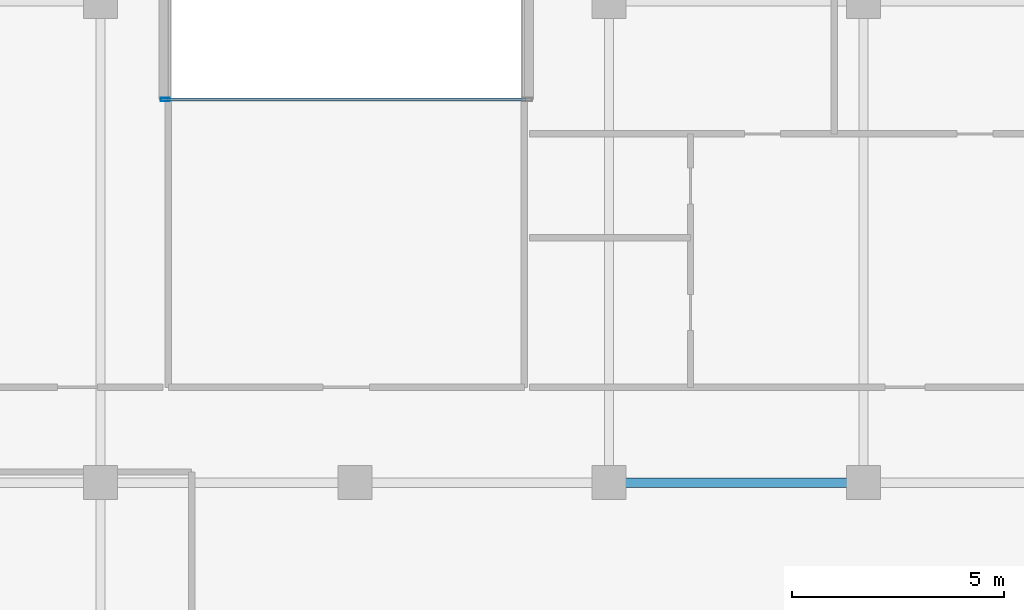
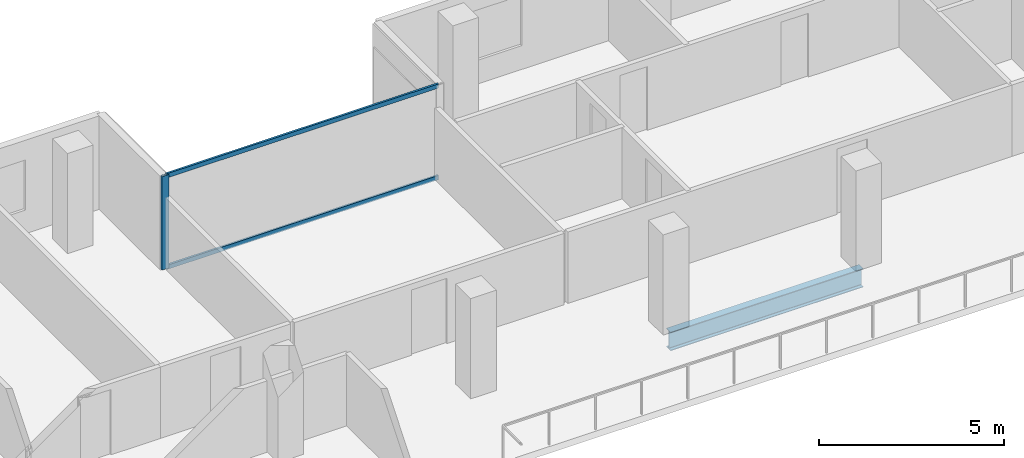
# One storey, part 6 of 20: 3 members, 1 beam, 1 element without a shape of its own.
"""IFC4 building model written with IfcOpenShell, lengths in metres."""

from ifc_helpers import new_model, si_unit, direction, frame, origin, origin_2d, place, context, subcontext, project, spatial, hollow_rectangle, i_section, extrude, material, layer, layer_set, material_profile, profile_set, type_object, element, aggregate, save


model = new_model("IFC4")

# Units and contexts
model_context = context("Model", 3, precision=1e-05, world=origin(), true_north=direction((0.0, 1.0)))
body_context = subcontext(model_context, "Body", "Model", "MODEL_VIEW")
ifc_project = project(units=[si_unit("LENGTHUNIT", "METRE"), si_unit("AREAUNIT", "SQUARE_METRE"), si_unit("VOLUMEUNIT", "CUBIC_METRE"), si_unit("PLANEANGLEUNIT", "RADIAN"), si_unit("MASSUNIT", "GRAM", prefix="KILO")], contexts=[model_context])

# Site, building, storey
site_placement = place(None, origin())
site = spatial("IfcSite", under=ifc_project, at=site_placement, CompositionType="ELEMENT")
building_placement = place(site_placement, origin())
building = spatial("IfcBuilding", under=site, at=building_placement, Name="Tanjung Sevakor Pilgrim Tower", CompositionType="ELEMENT")
storey_placement = place(building_placement, frame((0.0, 0.0, 201.6298828125)))
storey = spatial("IfcBuildingStorey", under=building, at=storey_placement, Name="L56", CompositionType="ELEMENT", Elevation=201.6298828125)

# Beam
ifc_material_1 = material(Name="Steel S355J2", Category="steel")
ifc_material_profile_1 = material_profile(ifc_material_1, i_section(OverallWidth=0.22900390625, OverallDepth=0.6123046875, WebThickness=0.011962890625, FlangeThickness=0.01953125, FilletRadius=0.0126953125, at=origin_2d()))
ifc_profile_set_1 = profile_set([ifc_material_profile_1], Name="Steel S355J2")
beam_type = type_object("IfcBeamType", Name="BM-B-G4-UB_610x229x125", PredefinedType="BEAM", material=ifc_profile_set_1)
beam_placement = place(storey_placement, frame((54.0, 42.60009765625, -0.52587890625), z_axis=(1.0, 0.0, 0.0), x_axis=(0.0, 1.0, 0.0)))
element("IfcBeam", 1, at=beam_placement, inside=storey, type_object=beam_type, Name="L56 Primary Floor Girder MAIN Y426-05", PredefinedType="BEAM", context=body_context, shape_type="SweptSolid", body=[
    extrude(i_section(OverallWidth=0.22900390625, OverallDepth=0.6123046875, WebThickness=0.011962890625, FlangeThickness=0.01953125, FilletRadius=0.0126953125, at=origin_2d()), origin(), (0.0, 0.0, 1.0), 6.0),
])

# Curtain wall, members
ifc_material_2 = material(Name="Aluminium 6063-T6 and Low-E Glass", Category="aluminium")
ifc_layer = layer(ifc_material_2, 0.179931640625)
ifc_layer_set = layer_set([ifc_layer], Name="CW-SYS-CLEFT")
curtain_wall_type = type_object("IfcCurtainWallType", Name="CW-SYS-CLEFT", PredefinedType="NOTDEFINED", material=ifc_layer_set)
curtain_wall_placement = place(storey_placement, origin())
curtain_wall = element("IfcCurtainWall", 2, at=curtain_wall_placement, inside=storey, type_object=curtain_wall_type, Name="L56 Curtain Wall CW-CLF-L56-10", PredefinedType="NOTDEFINED")
ifc_material_3 = material(Name="Aluminium 6063-T6", Category="aluminium")
ifc_material_profile_2 = material_profile(ifc_material_3, hollow_rectangle(XDim=0.074951171875, YDim=0.219970703125, WallThickness=0.0048828125, at=origin_2d()))
ifc_profile_set_2 = profile_set([ifc_material_profile_2], Name="Aluminium 6063-T6")
member_type_1 = type_object("IfcMemberType", Name="TYPE-CWM-2", PredefinedType="MULLION", material=ifc_profile_set_2)
member_1_placement = place(storey_placement, frame((43.527587890625, 51.639892578125, 0.0), z_axis=(0.0, 0.0, 1.0), x_axis=(0.0, -1.0, 0.0)))
member_1 = element("IfcMember", 3, at=member_1_placement, type_object=member_type_1, Name="CW-CLF mullion 2", PredefinedType="MULLION", context=body_context, shape_type="SweptSolid", body=[
    extrude(hollow_rectangle(XDim=0.074951171875, YDim=0.219970703125, WallThickness=0.0048828125, at=origin_2d()), origin(), (0.0, 0.0, 1.0), 3.080078125),
])
ifc_material_4 = material(Name="Aluminium 6063-T6", Category="aluminium")
ifc_material_profile_3 = material_profile(ifc_material_4, hollow_rectangle(XDim=0.06494140625, YDim=0.139892578125, WallThickness=0.00390625, at=origin_2d()))
ifc_profile_set_3 = profile_set([ifc_material_profile_3], Name="Aluminium 6063-T6")
member_type_2 = type_object("IfcMemberType", Name="TYPE-CWT-1", PredefinedType="USERDEFINED", material=ifc_profile_set_3)
member_2_placement = place(storey_placement, frame((52.034912109375, 51.639892578125, 0.03271484375), z_axis=(-1.0, 0.0, 0.0), x_axis=(0.0, -1.0, 0.0)))
member_2 = element("IfcMember", 4, at=member_2_placement, type_object=member_type_2, Name="CW-CLF transom 1.1", ObjectType="TRANSOM", PredefinedType="USERDEFINED", context=body_context, shape_type="SweptSolid", body=[
    extrude(hollow_rectangle(XDim=0.06494140625, YDim=0.139892578125, WallThickness=0.00390625, at=origin_2d()), origin(), (0.0, 0.0, 1.0), 8.469970703125),
])
member_3_placement = place(storey_placement, frame((52.034912109375, 51.639892578125, 3.047607421875), z_axis=(-1.0, 0.0, 0.0), x_axis=(0.0, -1.0, 0.0)))
member_3 = element("IfcMember", 5, at=member_3_placement, type_object=member_type_2, Name="CW-CLF transom 1.2", ObjectType="TRANSOM", PredefinedType="USERDEFINED", context=body_context, shape_type="SweptSolid", body=[
    extrude(hollow_rectangle(XDim=0.06494140625, YDim=0.139892578125, WallThickness=0.00390625, at=origin_2d()), origin(), (0.0, 0.0, 1.0), 8.469970703125),
])
aggregate(curtain_wall, [member_1, member_2, member_3])

save(model, "model.ifc")
